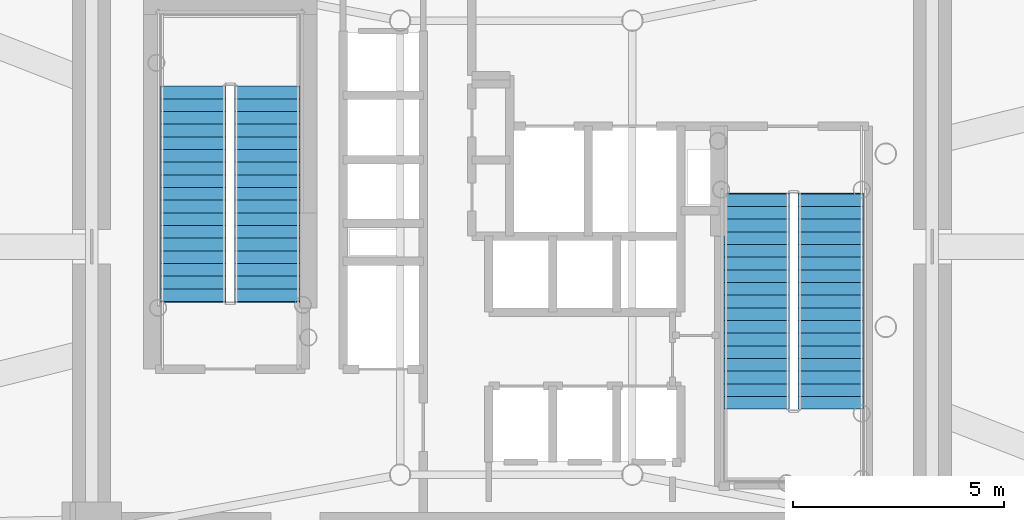
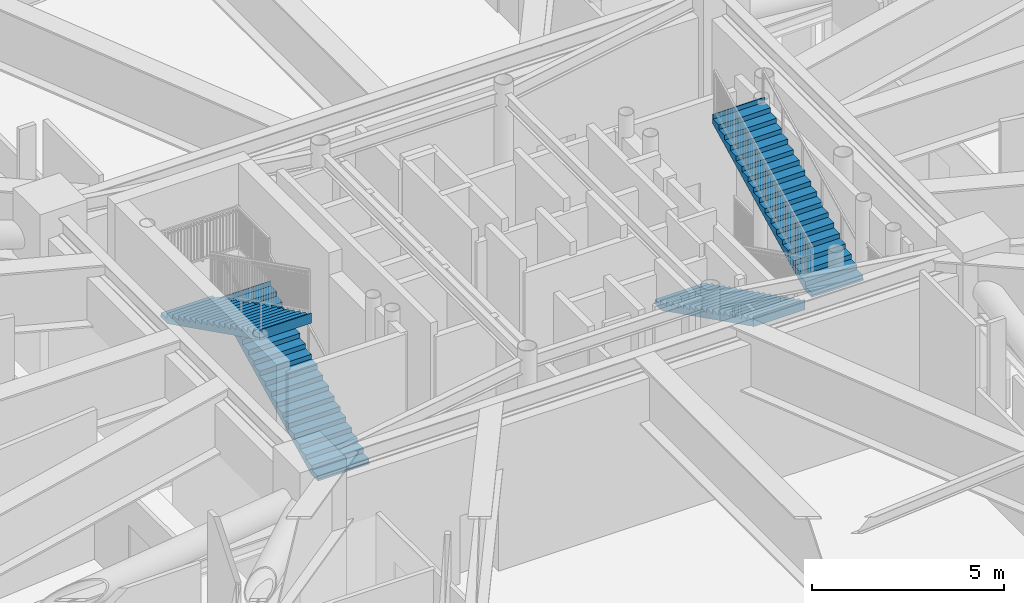
# One storey, part 15 of 22: 4 stair flights, 2 elements without a shape of their own.
"""IFC4 building model written with IfcOpenShell, lengths in metres."""

from ifc_helpers import new_model, si_unit, direction, frame, origin, place, context, subcontext, project, spatial, polyline, outline, extrude, source, transform, mapped, material, type_object, element, aggregate, save


model = new_model("IFC4")

# Units and contexts
model_context = context("Model", 3, precision=1e-05, world=origin(), true_north=direction((0.0, 1.0)))
body_context = subcontext(model_context, "Body", "Model", "MODEL_VIEW")
ifc_project = project(units=[si_unit("LENGTHUNIT", "METRE"), si_unit("AREAUNIT", "SQUARE_METRE"), si_unit("VOLUMEUNIT", "CUBIC_METRE"), si_unit("PLANEANGLEUNIT", "RADIAN"), si_unit("MASSUNIT", "GRAM", prefix="KILO")], contexts=[model_context])

# Site, building, storey
site_placement = place(None, origin())
site = spatial("IfcSite", under=ifc_project, at=site_placement, CompositionType="ELEMENT")
building_placement = place(site_placement, origin())
building = spatial("IfcBuilding", under=site, at=building_placement, Name="Linh Dai School and Residence Tower", CompositionType="ELEMENT")
storey_placement = place(building_placement, frame((0.0, 0.0, 87.0)))
storey = spatial("IfcBuildingStorey", under=building, at=storey_placement, Name="L20", CompositionType="ELEMENT", Elevation=87.0)

# Stair, stair flights
ifc_material = material(Name="Concrete B45 (C35/45)", Category="concrete")
stair_type = type_object("IfcStairType", Name="ST-DOG-1550-R1500", PredefinedType="HALF_TURN_STAIR", material=ifc_material)
stair_1_placement = place(storey_placement, origin())
stair_1 = element("IfcStair", 1, at=stair_1_placement, inside=storey, type_object=stair_type, Name="L20 Core Smokeproof Exit Stair ST1", PredefinedType="HALF_TURN_STAIR")
stair_flight_type = type_object("IfcStairFlightType", Name="STF-STR-1550-R1500", PredefinedType="STRAIGHT", material=ifc_material)
shared_shape = source(origin(), body_context, "Body", "SweptSolid", [
    extrude(outline(polyline([(-0.02490234375, 0.0), (-0.02490234375, 0.06005859375), (0.0, 0.06005859375), (0.0, 0.14990234375), (0.300048828125, 0.14990234375), (0.300048828125, 0.300048828125), (0.60009765625, 0.300048828125), (0.60009765625, 0.449951171875), (0.89990234375, 0.449951171875), (0.89990234375, 0.60009765625), (1.199951171875, 0.60009765625), (1.199951171875, 0.75), (1.5, 0.75), (1.5, 0.89990234375), (1.800048828125, 0.89990234375), (1.800048828125, 1.050048828125), (2.10009765625, 1.050048828125), (2.10009765625, 1.199951171875), (2.39990234375, 1.199951171875), (2.39990234375, 1.35009765625), (2.699951171875, 1.35009765625), (2.699951171875, 1.5), (3.0, 1.5), (3.0, 1.64990234375), (3.300048828125, 1.64990234375), (3.300048828125, 1.800048828125), (3.60009765625, 1.800048828125), (3.60009765625, 1.949951171875), (3.89990234375, 1.949951171875), (3.89990234375, 2.10009765625), (4.199951171875, 2.10009765625), (4.199951171875, 2.25), (4.5, 2.25), (4.5, 2.39990234375), (4.800048828125, 2.39990234375), (4.800048828125, 2.550048828125), (5.10009765625, 2.550048828125), (5.10009765625, 2.699951171875), (5.125, 2.699951171875), (5.125, 2.38232421875), (5.10009765625, 2.38232421875), (0.335205078125, 0.0), (-0.02490234375, 0.0)])), frame((0.0, 0.77490234375, 0.0), z_axis=(0.0, -1.0, 0.0), x_axis=(1.0, 0.0, 0.0)), (0.0, 0.0, 1.0), 1.550048828125),
])
stair_flight_1_placement = place(storey_placement, frame((30.205078125, 25.699951171875, 0.0), z_axis=(0.0, 0.0, 1.0), x_axis=(0.0, 1.0, 0.0)))
stair_flight_1 = element("IfcStairFlight", 2, at=stair_flight_1_placement, type_object=stair_flight_type, Name="ST1 flight 1", NumberOfRisers=18, NumberOfTreads=17, PredefinedType="STRAIGHT", RiserHeight=0.15, TreadLength=0.3, context=body_context, shape_type="MappedRepresentation", body=[
    mapped(shared_shape, transform((0.0, 0.0, 0.0), x_axis=(1.0, 0.0, 0.0), y_axis=(0.0, 1.0, 0.0), z_axis=(0.0, 0.0, 1.0), scale=1.0)),
])
stair_flight_2_placement = place(storey_placement, frame((28.455078125, 30.800048828125, 2.699951171875), z_axis=(0.0, 0.0, 1.0), x_axis=(0.0, -1.0, 0.0)))
stair_flight_2 = element("IfcStairFlight", 3, at=stair_flight_2_placement, type_object=stair_flight_type, Name="ST1 flight 2", NumberOfRisers=18, NumberOfTreads=17, PredefinedType="STRAIGHT", RiserHeight=0.15, TreadLength=0.3, context=body_context, shape_type="MappedRepresentation", body=[
    mapped(shared_shape, transform((0.0, 0.0, 0.0), x_axis=(1.0, 0.0, 0.0), y_axis=(0.0, 1.0, 0.0), z_axis=(0.0, 0.0, 1.0), scale=1.0)),
])
aggregate(stair_1, [stair_flight_1, stair_flight_2])

stair_2_placement = place(storey_placement, origin())
stair_2 = element("IfcStair", 4, at=stair_2_placement, inside=storey, type_object=stair_type, Name="L20 Core Smokeproof Exit Stair ST2", PredefinedType="HALF_TURN_STAIR")
stair_flight_3_placement = place(storey_placement, frame((41.794921875, 28.25, 0.0), z_axis=(0.0, 0.0, 1.0), x_axis=(0.0, -1.0, 0.0)))
stair_flight_3 = element("IfcStairFlight", 5, at=stair_flight_3_placement, type_object=stair_flight_type, Name="ST2 flight 1", NumberOfRisers=18, NumberOfTreads=17, PredefinedType="STRAIGHT", RiserHeight=0.15, TreadLength=0.3, context=body_context, shape_type="MappedRepresentation", body=[
    mapped(shared_shape, transform((0.0, 0.0, 0.0), x_axis=(1.0, 0.0, 0.0), y_axis=(0.0, 1.0, 0.0), z_axis=(0.0, 0.0, 1.0), scale=1.0)),
])
stair_flight_4_placement = place(storey_placement, frame((43.544921875, 23.14990234375, 2.699951171875), z_axis=(0.0, 0.0, 1.0), x_axis=(0.0, 1.0, 0.0)))
stair_flight_4 = element("IfcStairFlight", 6, at=stair_flight_4_placement, type_object=stair_flight_type, Name="ST2 flight 2", NumberOfRisers=18, NumberOfTreads=17, PredefinedType="STRAIGHT", RiserHeight=0.15, TreadLength=0.3, context=body_context, shape_type="MappedRepresentation", body=[
    mapped(shared_shape, transform((0.0, 0.0, 0.0), x_axis=(1.0, 0.0, 0.0), y_axis=(0.0, 1.0, 0.0), z_axis=(0.0, 0.0, 1.0), scale=1.0)),
])
aggregate(stair_2, [stair_flight_3, stair_flight_4])

save(model, "model.ifc")
